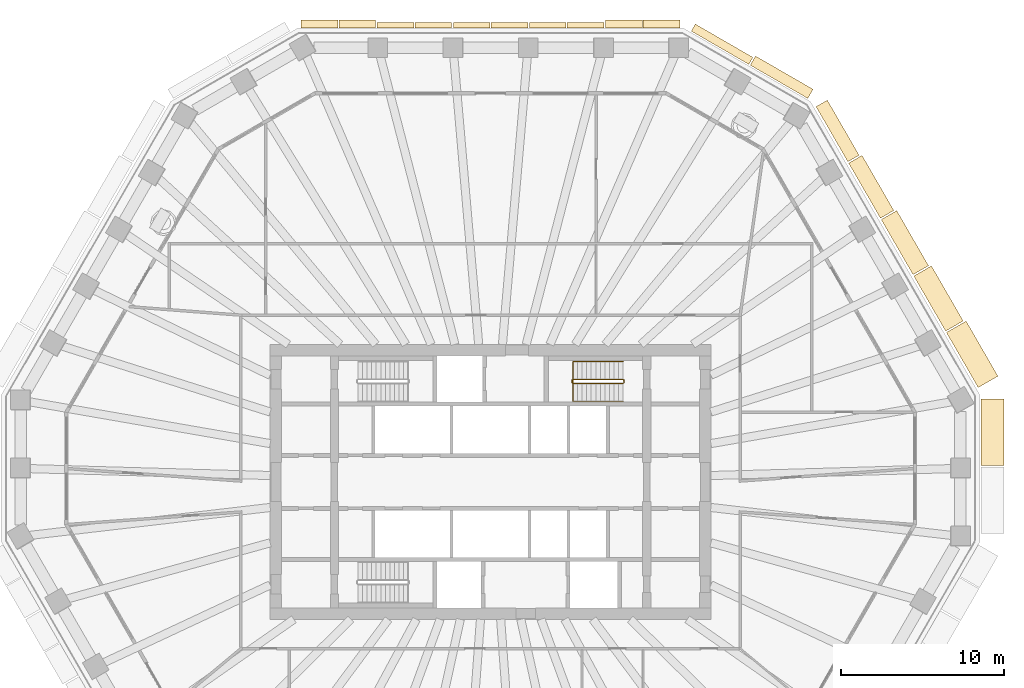
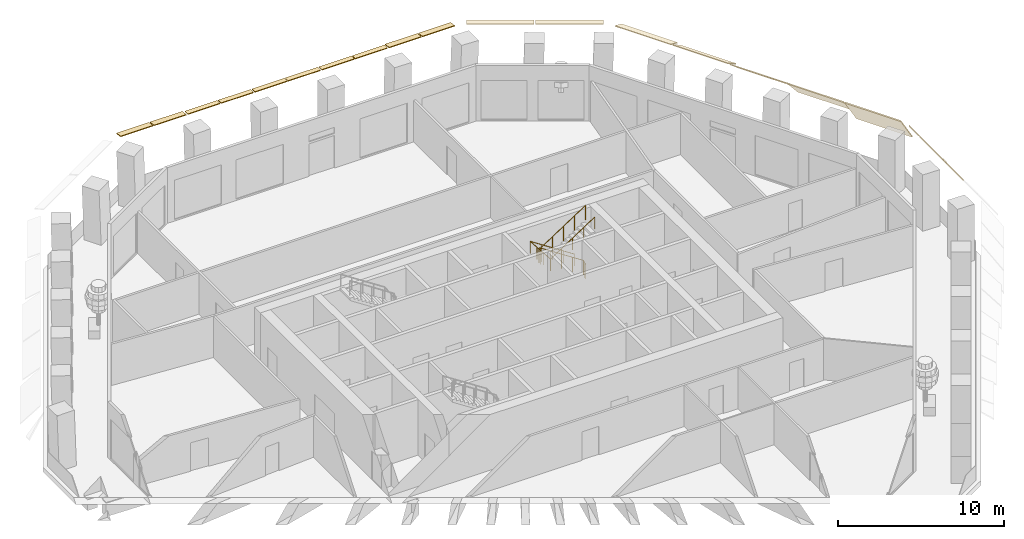
# One storey, part 10 of 12: 18 coverings, 2 railings.
"""IFC4 building model written with IfcOpenShell, lengths in metres."""

from ifc_helpers import new_model, si_unit, direction, frame, origin, origin_2d, place, context, subcontext, project, spatial, polyline, circle, outline, extrude, material, layer, layer_set, type_object, element, save


model = new_model("IFC4")

# Units and contexts
model_context = context("Model", 3, precision=1e-05, world=origin(), true_north=direction((0.0, 1.0)))
body_context = subcontext(model_context, "Body", "Model", "MODEL_VIEW")
ifc_project = project(units=[si_unit("LENGTHUNIT", "METRE"), si_unit("AREAUNIT", "SQUARE_METRE"), si_unit("VOLUMEUNIT", "CUBIC_METRE"), si_unit("PLANEANGLEUNIT", "RADIAN"), si_unit("MASSUNIT", "GRAM", prefix="KILO")], contexts=[model_context])

# Site, building, storey
site_placement = place(None, origin())
site = spatial("IfcSite", under=ifc_project, at=site_placement, CompositionType="ELEMENT")
building_placement = place(site_placement, origin())
building = spatial("IfcBuilding", under=site, at=building_placement, Name="Frailejon Research Tower", CompositionType="ELEMENT")
storey_placement = place(building_placement, frame((0.0, 0.0, 171.60009765625)))
storey = spatial("IfcBuildingStorey", under=building, at=storey_placement, Name="L37", CompositionType="ELEMENT", Elevation=171.60009765625)

# Coverings
ifc_material_1 = material(Name="Precast concrete C50/60", Category="concrete")
ifc_layer_1 = layer(ifc_material_1, 0.06005859375)
ifc_layer_set_1 = layer_set([ifc_layer_1], Name="Brim blade depth 1100")
covering_type_1 = type_object("IfcCoveringType", Name="Brim blade depth 1100", PredefinedType="CLADDING", material=ifc_layer_set_1)
covering_1_placement = place(storey_placement, frame((24.023193359375, 16.12646484375, 4.25), z_axis=(0.49999743218, -0.866026886311, 0.0), x_axis=(0.866026886311, 0.49999743218, 0.0)))
element("IfcCovering", 1, at=covering_1_placement, inside=storey, type_object=covering_type_1, Name="Brim blade L37", PredefinedType="CLADDING", context=body_context, shape_type="SweptSolid", body=[
    extrude(outline(polyline([(0.0, -0.078369140625), (1.10009765625, -1.001220703125), (1.10009765625, -0.923095703125), (0.0, 0.0), (0.0, -0.078369140625)])), origin(), (0.0, 0.0, 1.0), 3.908447265625),
])
ifc_material_2 = material(Name="Precast concrete C50/60", Category="concrete")
ifc_layer_2 = layer(ifc_material_2, 0.06005859375)
ifc_layer_set_2 = layer_set([ifc_layer_2], Name="Brim blade depth 1250")
covering_type_2 = type_object("IfcCoveringType", Name="Brim blade depth 1250", PredefinedType="CLADDING", material=ifc_layer_set_2)
covering_2_placement = place(storey_placement, frame((26.02734375, 12.655029296875, 4.25), z_axis=(0.49999743218, -0.866026886311, 0.0), x_axis=(0.866026886311, 0.49999743218, 0.0)))
element("IfcCovering", 2, at=covering_2_placement, inside=storey, type_object=covering_type_2, Name="Brim blade L37", PredefinedType="CLADDING", context=body_context, shape_type="SweptSolid", body=[
    extrude(outline(polyline([(0.0, -0.0888671875), (1.25, -1.452880859375), (1.25, -1.364013671875), (0.0, 0.0), (0.0, -0.0888671875)])), origin(), (0.0, 0.0, 1.0), 3.908447265625),
])
ifc_material_3 = material(Name="Precast concrete C50/60", Category="concrete")
ifc_layer_3 = layer(ifc_material_3, 0.06005859375)
ifc_layer_set_3 = layer_set([ifc_layer_3], Name="Brim blade depth 1400")
covering_type_3 = type_object("IfcCoveringType", Name="Brim blade depth 1400", PredefinedType="CLADDING", material=ifc_layer_set_3)
covering_3_placement = place(storey_placement, frame((30.171630859375, 5.10546875, 4.25), z_axis=(0.0, -1.0, 0.0), x_axis=(1.0, 0.0, 0.0)))
element("IfcCovering", 3, at=covering_3_placement, inside=storey, type_object=covering_type_3, Name="Brim blade L37", PredefinedType="CLADDING", context=body_context, shape_type="SweptSolid", body=[
    extrude(outline(polyline([(0.0, -0.1044921875), (1.39990234375, -2.10400390625), (1.39990234375, -1.99951171875), (0.0, 0.0), (0.0, -0.1044921875)])), origin(), (0.0, 0.0, 1.0), 4.087646484375),
])
covering_4_placement = place(storey_placement, frame((28.031494140625, 9.18359375, 4.25), z_axis=(0.49999743218, -0.866026886311, 0.0), x_axis=(0.866026886311, 0.49999743218, 0.0)))
element("IfcCovering", 4, at=covering_4_placement, inside=storey, type_object=covering_type_3, Name="Brim blade L37", PredefinedType="CLADDING", context=body_context, shape_type="SweptSolid", body=[
    extrude(outline(polyline([(0.0, -0.1044921875), (1.39990234375, -2.10400390625), (1.39990234375, -1.99951171875), (0.0, 0.0), (0.0, -0.1044921875)])), origin(), (0.0, 0.0, 1.0), 3.908447265625),
])
ifc_material_4 = material(Name="Precast concrete C50/60", Category="concrete")
ifc_layer_4 = layer(ifc_material_4, 0.06005859375)
ifc_layer_set_4 = layer_set([ifc_layer_4], Name="Brim blade depth 350")
covering_type_4 = type_object("IfcCoveringType", Name="Brim blade depth 350", PredefinedType="CLADDING", material=ifc_layer_set_4)
for number, where, z_axis, x_axis, name in (
    (5, (4.708984375, 27.89990234375, 4.25), (1.0, 0.0, 0.0), (0.0, 1.0, 0.0), "Brim blade L37"),
    (6, (2.389404296875, 27.89990234375, 4.25), (1.0, 0.0, 0.0), (0.0, 1.0, 0.0), "Brim blade L37"),
    (7, (0.030029296875, 27.89990234375, 4.25), (1.0, 0.0, 0.0), (0.0, 1.0, 0.0), "Brim blade L37"),
    (8, (-2.28955078125, 27.89990234375, 4.25), (1.0, 0.0, 0.0), (0.0, 1.0, 0.0), "Brim blade L37"),
    (9, (-4.64892578125, 27.89990234375, 4.25), (1.0, 0.0, 0.0), (0.0, 1.0, 0.0), "Brim blade L37"),
    (10, (-6.968505859375, 27.89990234375, 4.25), (1.0, 0.0, 0.0), (0.0, 1.0, 0.0), "Brim blade L37"),
):
    element("IfcCovering", number, at=place(storey_placement, frame(where, z_axis=z_axis, x_axis=x_axis)), inside=storey, type_object=covering_type_4, Name=name, PredefinedType="CLADDING", context=body_context, shape_type="SweptSolid", body=[
        extrude(outline(polyline([(0.0, -0.06005859375), (0.35009765625, -0.06005859375), (0.35009765625, 0.0), (0.0, 0.0), (0.0, -0.06005859375)])), origin(), (0.0, 0.0, 1.0), 2.259521484375),
    ])
ifc_material_5 = material(Name="Precast concrete C50/60", Category="concrete")
ifc_layer_5 = layer(ifc_material_5, 0.06005859375)
ifc_layer_set_5 = layer_set([ifc_layer_5], Name="Brim blade depth 500")
covering_type_5 = type_object("IfcCoveringType", Name="Brim blade depth 500", PredefinedType="CLADDING", material=ifc_layer_set_5)
covering_5_placement = place(storey_placement, frame((12.3408203125, 27.714111328125, 4.25), z_axis=(0.866027315287, -0.499996689166, 0.0), x_axis=(0.499996689166, 0.866027315287, 0.0)))
element("IfcCovering", 11, at=covering_5_placement, inside=storey, type_object=covering_type_5, Name="Brim blade L37", PredefinedType="CLADDING", context=body_context, shape_type="SweptSolid", body=[
    extrude(outline(polyline([(0.0, -0.060546875), (0.5, -0.130859375), (0.5, -0.0703125), (0.0, 0.0), (0.0, -0.060546875)])), origin(), (0.0, 0.0, 1.0), 4.087646484375),
])
for number, where, z_axis, x_axis, name in (
    (12, (9.387939453125, 27.89990234375, 4.25), (1.0, 0.0, 0.0), (0.0, 1.0, 0.0), "Brim blade L37"),
    (13, (7.068603515625, 27.89990234375, 4.25), (1.0, 0.0, 0.0), (0.0, 1.0, 0.0), "Brim blade L37"),
    (14, (-9.327880859375, 27.89990234375, 4.25), (1.0, 0.0, 0.0), (0.0, 1.0, 0.0), "Brim blade L37"),
    (15, (-11.6474609375, 27.89990234375, 4.25), (1.0, 0.0, 0.0), (0.0, 1.0, 0.0), "Brim blade L37"),
):
    element("IfcCovering", number, at=place(storey_placement, frame(where, z_axis=z_axis, x_axis=x_axis)), inside=storey, type_object=covering_type_5, Name=name, PredefinedType="CLADDING", context=body_context, shape_type="SweptSolid", body=[
        extrude(outline(polyline([(0.0, -0.060546875), (0.5, -0.130859375), (0.5, -0.0703125), (0.0, 0.0), (0.0, -0.060546875)])), origin(), (0.0, 0.0, 1.0), 2.259521484375),
    ])
ifc_material_6 = material(Name="Precast concrete C50/60", Category="concrete")
ifc_layer_6 = layer(ifc_material_6, 0.06005859375)
ifc_layer_set_6 = layer_set([ifc_layer_6], Name="Brim blade depth 650")
covering_type_6 = type_object("IfcCoveringType", Name="Brim blade depth 650", PredefinedType="CLADDING", material=ifc_layer_set_6)
covering_6_placement = place(storey_placement, frame((15.96728515625, 25.620361328125, 4.25), z_axis=(0.866021344981, -0.500007029989, 0.0), x_axis=(0.500007029989, 0.866021344981, 0.0)))
element("IfcCovering", 16, at=covering_6_placement, inside=storey, type_object=covering_type_6, Name="Brim blade L37", PredefinedType="CLADDING", context=body_context, shape_type="SweptSolid", body=[
    extrude(outline(polyline([(0.0, -0.0625), (0.64990234375, -0.248779296875), (0.64990234375, -0.186279296875), (0.0, 0.0), (0.0, -0.0625)])), origin(), (0.0, 0.0, 1.0), 4.08740234375),
])
ifc_material_7 = material(Name="Precast concrete C50/60", Category="concrete")
ifc_layer_7 = layer(ifc_material_7, 0.06005859375)
ifc_layer_set_7 = layer_set([ifc_layer_7], Name="Brim blade depth 800")
covering_type_7 = type_object("IfcCoveringType", Name="Brim blade depth 800", PredefinedType="CLADDING", material=ifc_layer_set_7)
covering_7_placement = place(storey_placement, frame((20.014892578125, 23.069091796875, 4.25), z_axis=(0.49999743218, -0.866026886311, 0.0), x_axis=(0.866026886311, 0.49999743218, 0.0)))
element("IfcCovering", 17, at=covering_7_placement, inside=storey, type_object=covering_type_7, Name="Brim blade L37", PredefinedType="CLADDING", context=body_context, shape_type="SweptSolid", body=[
    extrude(outline(polyline([(0.0, -0.065673828125), (0.800048828125, -0.421875), (0.800048828125, -0.356201171875), (0.0, 0.0), (0.0, -0.065673828125)])), origin(), (0.0, 0.0, 1.0), 3.908447265625),
])
ifc_material_8 = material(Name="Precast concrete C50/60", Category="concrete")
ifc_layer_8 = layer(ifc_material_8, 0.06005859375)
ifc_layer_set_8 = layer_set([ifc_layer_8], Name="Brim blade depth 950")
covering_type_8 = type_object("IfcCoveringType", Name="Brim blade depth 950", PredefinedType="CLADDING", material=ifc_layer_set_8)
covering_8_placement = place(storey_placement, frame((22.01904296875, 19.59765625, 4.25), z_axis=(0.500008235109, -0.86602064919, 0.0), x_axis=(0.86602064919, 0.500008235109, 0.0)))
element("IfcCovering", 18, at=covering_8_placement, inside=storey, type_object=covering_type_8, Name="Brim blade L37", PredefinedType="CLADDING", context=body_context, shape_type="SweptSolid", body=[
    extrude(outline(polyline([(0.0, -0.07080078125), (0.949951171875, -0.664306640625), (0.949951171875, -0.593505859375), (0.0, 0.0), (0.0, -0.07080078125)])), origin(), (0.0, 0.0, 1.0), 3.908203125),
])

# Railings
ifc_material_9 = material(Name="Stainless steel", Category="steel")
railing_type_1 = type_object("IfcRailingType", Name="Stair guard 1100", PredefinedType="GUARDRAIL", material=ifc_material_9)
railing_1_placement = place(storey_placement, frame((8.199951171875, 6.10009765625, 0.0)))
element("IfcRailing", 19, at=railing_1_placement, inside=storey, type_object=railing_type_1, Name="L37 ST3 stair guard 1", PredefinedType="GUARDRAIL", context=body_context, shape_type="SweptSolid", body=[
    extrude(circle(Radius=0.02392578125, at=origin_2d()), frame((0.0, 0.0, 1.076171875), z_axis=(0.0, 1.0, 0.0), x_axis=(-1.0, 0.0, 0.0)), (0.0, 0.0, 1.0), 0.14990234375),
    extrude(circle(Radius=0.02392578125, at=origin_2d()), frame((0.0, 0.14990234375, 1.076171875), z_axis=(-0.254653276557, 0.254653276557, 0.932900539971), x_axis=(-0.707106781187, -0.707106781187, 0.0)), (0.0, 0.0, 1.0), 0.196533203125),
    extrude(circle(Radius=0.02392578125, at=origin_2d()), frame((-0.050048828125, 0.199951171875, 1.25927734375), z_axis=(-0.836613101238, 0.0, 0.547794230379), x_axis=(0.0, -1.0, 0.0)), (0.0, 0.0, 1.0), 3.681396484375),
    extrude(circle(Radius=0.02392578125, at=origin_2d()), frame((-3.1298828125, 0.199951171875, 3.27587890625), z_axis=(-0.707106781187, -0.707106781187, 0.0), x_axis=(0.707106781187, -0.707106781187, 0.0)), (0.0, 0.0, 1.0), 0.07080078125),
    extrude(circle(Radius=0.02392578125, at=origin_2d()), frame((-3.179931640625, 0.14990234375, 3.27587890625), z_axis=(0.0, -1.0, 0.0), x_axis=(1.0, 0.0, 0.0)), (0.0, 0.0, 1.0), 0.14990234375),
    extrude(circle(Radius=0.02392578125, at=origin_2d()), frame((-3.179931640625, 0.0, 3.27587890625), z_axis=(0.254653276557, -0.254653276557, 0.932900539971), x_axis=(0.707106781187, 0.707106781187, 0.0)), (0.0, 0.0, 1.0), 0.196533203125),
    extrude(circle(Radius=0.02392578125, at=origin_2d()), frame((-3.1298828125, -0.050048828125, 3.45947265625), z_axis=(0.836613101238, 0.0, 0.547794230379), x_axis=(0.0, 1.0, 0.0)), (0.0, 0.0, 1.0), 3.681396484375),
    extrude(circle(Radius=0.02099609375, at=origin_2d()), origin(), (0.0, 0.0, 1.0), 1.052001953125),
    extrude(circle(Radius=0.02099609375, at=origin_2d()), frame((0.0, 0.14990234375, 0.0)), (0.0, 0.0, 1.0), 1.052001953125),
    extrude(circle(Radius=0.02099609375, at=origin_2d()), frame((-0.050048828125, 0.199951171875, 0.183349609375)), (0.0, 0.0, 1.0), 1.052001953125),
    extrude(circle(Radius=0.02099609375, at=origin_2d()), frame((-0.820068359375, 0.199951171875, 0.6875)), (0.0, 0.0, 1.0), 1.052001953125),
    extrude(circle(Radius=0.02099609375, at=origin_2d()), frame((-1.58984375, 0.199951171875, 1.191650390625)), (0.0, 0.0, 1.0), 1.052001953125),
    extrude(circle(Radius=0.02099609375, at=origin_2d()), frame((-2.35986328125, 0.199951171875, 1.69580078125)), (0.0, 0.0, 1.0), 1.052001953125),
    extrude(circle(Radius=0.02099609375, at=origin_2d()), frame((-3.1298828125, 0.199951171875, 2.199951171875)), (0.0, 0.0, 1.0), 1.052001953125),
    extrude(circle(Radius=0.02099609375, at=origin_2d()), frame((-3.179931640625, 0.14990234375, 2.199951171875)), (0.0, 0.0, 1.0), 1.052001953125),
    extrude(circle(Radius=0.02099609375, at=origin_2d()), frame((-3.179931640625, 0.0, 2.199951171875)), (0.0, 0.0, 1.0), 1.052001953125),
    extrude(circle(Radius=0.02099609375, at=origin_2d()), frame((-3.1298828125, -0.050048828125, 2.38330078125)), (0.0, 0.0, 1.0), 1.052001953125),
    extrude(circle(Radius=0.02099609375, at=origin_2d()), frame((-2.35986328125, -0.050048828125, 2.887451171875)), (0.0, 0.0, 1.0), 1.052001953125),
    extrude(circle(Radius=0.02099609375, at=origin_2d()), frame((-1.58984375, -0.050048828125, 3.3916015625)), (0.0, 0.0, 1.0), 1.052001953125),
    extrude(circle(Radius=0.02099609375, at=origin_2d()), frame((-0.820068359375, -0.050048828125, 3.895751953125)), (0.0, 0.0, 1.0), 1.052001953125),
    extrude(circle(Radius=0.02099609375, at=origin_2d()), frame((-0.050048828125, -0.050048828125, 4.39990234375)), (0.0, 0.0, 1.0), 1.052001953125),
])
ifc_material_10 = material(Name="Stainless steel", Category="steel")
railing_type_2 = type_object("IfcRailingType", Name="Stair handrail 900", PredefinedType="HANDRAIL", material=ifc_material_10)
railing_2_placement = place(storey_placement, frame((8.14990234375, 7.39990234375, 0.183349609375)))
element("IfcRailing", 20, at=railing_2_placement, inside=storey, type_object=railing_type_2, Name="L37 ST3 stair handrail 1", PredefinedType="HANDRAIL", context=body_context, shape_type="SweptSolid", body=[
    extrude(circle(Radius=0.02392578125, at=origin_2d()), frame((0.0, 0.0, 0.8759765625), z_axis=(-0.836613101238, 0.0, 0.547794230379), x_axis=(0.0, -1.0, 0.0)), (0.0, 0.0, 1.0), 3.681396484375),
    extrude(circle(Radius=0.02392578125, at=origin_2d()), frame((-3.079833984375, 0.0, 2.892578125), z_axis=(0.0, -0.99721134034, 0.074629368868), x_axis=(1.0, 0.0, 0.0)), (0.0, 0.0, 1.0), 2.456787109375),
    extrude(circle(Radius=0.02392578125, at=origin_2d()), frame((-3.079833984375, -2.449951171875, 3.07568359375), z_axis=(0.836613101238, 0.0, 0.547794230379), x_axis=(0.0, 1.0, 0.0)), (0.0, 0.0, 1.0), 3.681396484375),
    extrude(circle(Radius=0.02099609375, at=origin_2d()), origin(), (0.0, 0.0, 1.0), 0.851806640625),
    extrude(circle(Radius=0.02099609375, at=origin_2d()), frame((-0.77001953125, 0.0, 0.504150390625)), (0.0, 0.0, 1.0), 0.851806640625),
    extrude(circle(Radius=0.02099609375, at=origin_2d()), frame((-1.5400390625, 0.0, 1.00830078125)), (0.0, 0.0, 1.0), 0.851806640625),
    extrude(circle(Radius=0.02099609375, at=origin_2d()), frame((-2.309814453125, 0.0, 1.512451171875)), (0.0, 0.0, 1.0), 0.851806640625),
    extrude(circle(Radius=0.02099609375, at=origin_2d()), frame((-3.079833984375, 0.0, 2.0166015625)), (0.0, 0.0, 1.0), 0.851806640625),
    extrude(circle(Radius=0.02099609375, at=origin_2d()), frame((-3.079833984375, -0.816650390625, 2.07763671875)), (0.0, 0.0, 1.0), 0.851806640625),
    extrude(circle(Radius=0.02099609375, at=origin_2d()), frame((-3.079833984375, -1.63330078125, 2.138916015625)), (0.0, 0.0, 1.0), 0.851806640625),
    extrude(circle(Radius=0.02099609375, at=origin_2d()), frame((-3.079833984375, -2.449951171875, 2.199951171875)), (0.0, 0.0, 1.0), 0.851806640625),
    extrude(circle(Radius=0.02099609375, at=origin_2d()), frame((-2.309814453125, -2.449951171875, 2.7041015625)), (0.0, 0.0, 1.0), 0.851806640625),
    extrude(circle(Radius=0.02099609375, at=origin_2d()), frame((-1.5400390625, -2.449951171875, 3.208251953125)), (0.0, 0.0, 1.0), 0.851806640625),
    extrude(circle(Radius=0.02099609375, at=origin_2d()), frame((-0.77001953125, -2.449951171875, 3.71240234375)), (0.0, 0.0, 1.0), 0.851806640625),
    extrude(circle(Radius=0.02099609375, at=origin_2d()), frame((0.0, -2.449951171875, 4.216552734375)), (0.0, 0.0, 1.0), 0.851806640625),
])

save(model, "model.ifc")
